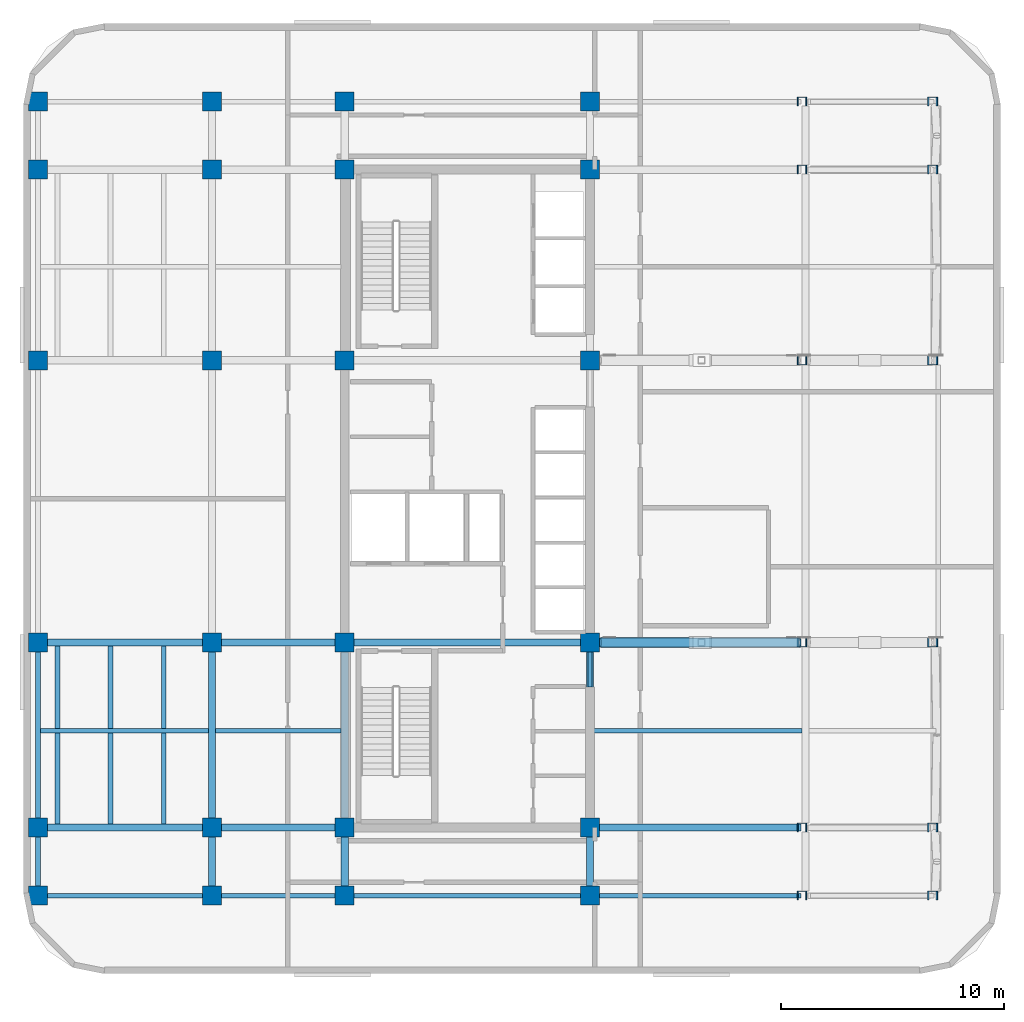
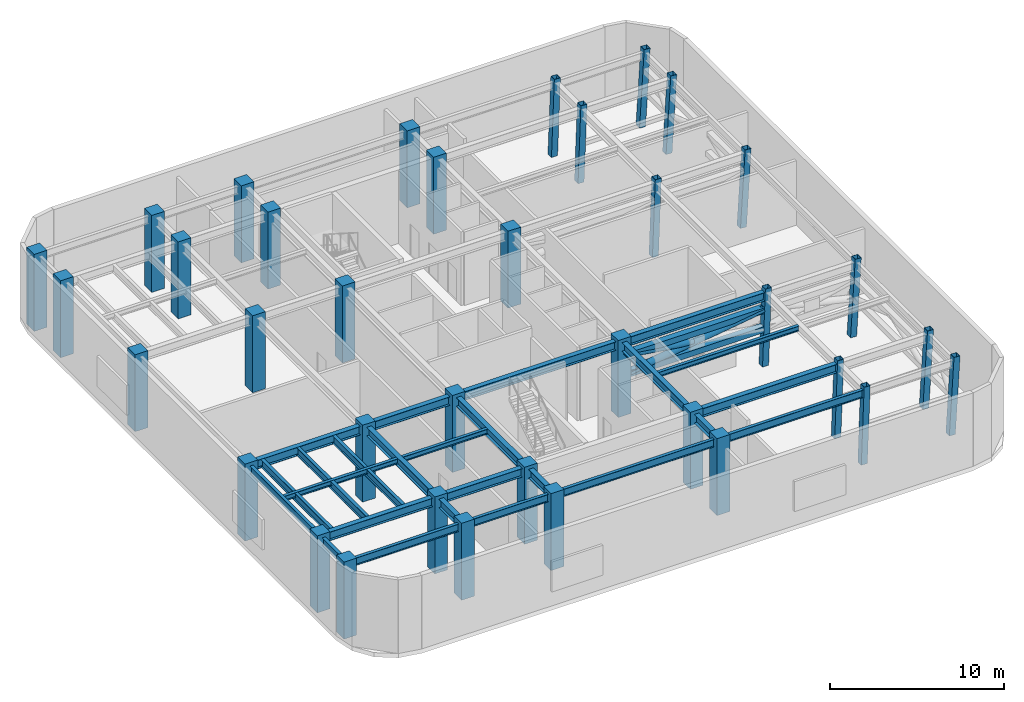
# One storey, part 1 of 12: 36 columns, 26 beams, 4 members.
"""IFC4 building model written with IfcOpenShell, lengths in metres."""

from ifc_helpers import new_model, si_unit, direction, frame, origin, origin_2d, place, context, subcontext, project, spatial, rectangle, hollow_rectangle, hollow_circle, i_section, extrude, material, material_profile, profile_set, type_object, element, save


model = new_model("IFC4")

# Units and contexts
model_context = context("Model", 3, precision=1e-05, world=origin(), true_north=direction((0.0, 1.0)))
body_context = subcontext(model_context, "Body", "Model", "MODEL_VIEW")
ifc_project = project(units=[si_unit("LENGTHUNIT", "METRE"), si_unit("AREAUNIT", "SQUARE_METRE"), si_unit("VOLUMEUNIT", "CUBIC_METRE"), si_unit("PLANEANGLEUNIT", "RADIAN"), si_unit("MASSUNIT", "GRAM", prefix="KILO")], contexts=[model_context])

# Site, building, storey
site_placement = place(None, origin())
site = spatial("IfcSite", under=ifc_project, at=site_placement, CompositionType="ELEMENT")
building_placement = place(site_placement, origin())
building = spatial("IfcBuilding", under=site, at=building_placement, Name="Ochreholt Gables", CompositionType="ELEMENT")
storey_placement = place(building_placement, frame((0.0, 0.0, 135.60009765625)))
storey = spatial("IfcBuildingStorey", under=building, at=storey_placement, Name="L35", CompositionType="ELEMENT", Elevation=135.60009765625)

# Columns
ifc_material_1 = material(Name="Steel CSA G40.21 350W", Category="steel")
ifc_material_profile_1 = material_profile(ifc_material_1, hollow_rectangle(XDim=0.406005859375, YDim=0.406005859375, WallThickness=0.01611328125, at=origin_2d()), Name="HSS406X406X16")
ifc_profile_set_1 = profile_set([ifc_material_profile_1], Name="Steel CSA G40.21 350W")
column_type_1 = type_object("IfcColumnType", Name="COL-HSS406-RAK", PredefinedType="COLUMN", material=ifc_profile_set_1)
for number, where, z_axis, x_axis, name in (
    (1, (44.681884765625, 9.25, 0.0), (0.035017844407, 0.0, 0.99938668721), (0.0, 1.0, 0.0), "L35 Column EMY2"),
    (2, (44.681884765625, 17.550048828125, 0.0), (0.035017844407, 0.0, 0.99938668721), (0.0, 1.0, 0.0), "L35 Column EMY3"),
    (3, (44.681884765625, 30.199951171875, 0.0), (0.035017844407, 0.0, 0.99938668721), (0.0, 1.0, 0.0), "L35 Column EMY4"),
    (4, (44.681884765625, 38.75, 0.0), (0.035017844407, 0.0, 0.99938668721), (0.0, 1.0, 0.0), "L35 Column EMY5"),
):
    element("IfcColumn", number, at=place(storey_placement, frame(where, z_axis=z_axis, x_axis=x_axis)), inside=storey, type_object=column_type_1, Name=name, PredefinedType="COLUMN", context=body_context, shape_type="SweptSolid", body=[
        extrude(hollow_rectangle(XDim=0.406005859375, YDim=0.406005859375, WallThickness=0.01611328125, at=origin_2d()), origin(), (0.0, 0.0, 1.0), 5.4033203125),
    ])
ifc_material_profile_2 = material_profile(ifc_material_1, hollow_rectangle(XDim=0.406005859375, YDim=0.406005859375, WallThickness=0.01611328125, at=origin_2d()), Name="HSS406X406X16")
ifc_profile_set_2 = profile_set([ifc_material_profile_2], Name="Steel CSA G40.21 350W")
column_type_2 = type_object("IfcColumnType", Name="COL-HSS406-RAKE", PredefinedType="COLUMN", material=ifc_profile_set_2)
for number, where, z_axis, x_axis, name in (
    (5, (44.681884765625, 6.199951171875, 0.0), (0.035017844407, 0.0, 0.99938668721), (0.0, 1.0, 0.0), "L35 Column EMY1"),
    (6, (44.681884765625, 41.800048828125, 0.0), (0.035017844407, 0.0, 0.99938668721), (0.0, 1.0, 0.0), "L35 Column EMY6"),
):
    element("IfcColumn", number, at=place(storey_placement, frame(where, z_axis=z_axis, x_axis=x_axis)), inside=storey, type_object=column_type_2, Name=name, PredefinedType="COLUMN", context=body_context, shape_type="SweptSolid", body=[
        extrude(hollow_rectangle(XDim=0.406005859375, YDim=0.406005859375, WallThickness=0.01611328125, at=origin_2d()), origin(), (0.0, 0.0, 1.0), 5.4033203125),
    ])
for number, where, z_axis, x_axis, name in (
    (7, (50.521484375, 6.199951171875, 0.0), (0.05790970708, 0.0, 0.998321824777), (0.0, 1.0, 0.0), "L35 Column EEY1"),
    (8, (50.521484375, 9.25, 0.0), (0.05790970708, 0.0, 0.998321824777), (0.0, 1.0, 0.0), "L35 Column EEY2"),
    (9, (50.521484375, 17.550048828125, 0.0), (0.05790970708, 0.0, 0.998321824777), (0.0, 1.0, 0.0), "L35 Column EEY3"),
    (10, (50.521484375, 30.199951171875, 0.0), (0.05790970708, 0.0, 0.998321824777), (0.0, 1.0, 0.0), "L35 Column EEY4"),
    (11, (50.521484375, 38.75, 0.0), (0.05790970708, 0.0, 0.998321824777), (0.0, 1.0, 0.0), "L35 Column EEY5"),
    (12, (50.521484375, 41.800048828125, 0.0), (0.05790970708, 0.0, 0.998321824777), (0.0, 1.0, 0.0), "L35 Column EEY6"),
):
    element("IfcColumn", number, at=place(storey_placement, frame(where, z_axis=z_axis, x_axis=x_axis)), inside=storey, type_object=column_type_2, Name=name, PredefinedType="COLUMN", context=body_context, shape_type="SweptSolid", body=[
        extrude(hollow_rectangle(XDim=0.406005859375, YDim=0.406005859375, WallThickness=0.01611328125, at=origin_2d()), origin(), (0.0, 0.0, 1.0), 5.408935546875),
    ])
ifc_material_2 = material(Name="Concrete 60 MPa", Category="concrete")
ifc_material_profile_3 = material_profile(ifc_material_2, rectangle(XDim=0.85009765625, YDim=0.85009765625, at=origin_2d()), Name="RC850X850")
ifc_profile_set_3 = profile_set([ifc_material_profile_3], Name="Concrete 60 MPa")
column_type_3 = type_object("IfcColumnType", Name="COL-RC850-EXT", PredefinedType="COLUMN", material=ifc_profile_set_3)
for number, where, z_axis, x_axis, name in (
    (13, (10.449951171875, 6.199951171875, 0.0), (0.0, 0.0, 1.0), (1.0, 0.0, 0.0), "L35 Column W2Y1"),
    (14, (10.449951171875, 9.25, 0.0), (0.0, 0.0, 1.0), (1.0, 0.0, 0.0), "L35 Column W2Y2"),
    (15, (10.449951171875, 17.550048828125, 0.0), (0.0, 0.0, 1.0), (1.0, 0.0, 0.0), "L35 Column W2Y3"),
    (16, (10.449951171875, 30.199951171875, 0.0), (0.0, 0.0, 1.0), (1.0, 0.0, 0.0), "L35 Column W2Y4"),
    (17, (10.449951171875, 38.75, 0.0), (0.0, 0.0, 1.0), (1.0, 0.0, 0.0), "L35 Column W2Y5"),
    (18, (10.449951171875, 41.800048828125, 0.0), (0.0, 0.0, 1.0), (1.0, 0.0, 0.0), "L35 Column W2Y6"),
    (19, (18.25, 6.199951171875, 0.0), (0.0, 0.0, 1.0), (1.0, 0.0, 0.0), "L35 Column W3Y1"),
    (20, (18.25, 41.800048828125, 0.0), (0.0, 0.0, 1.0), (1.0, 0.0, 0.0), "L35 Column W3Y6"),
    (21, (24.199951171875, 6.199951171875, 0.0), (0.0, 0.0, 1.0), (1.0, 0.0, 0.0), "L35 Column C1Y1"),
    (22, (24.199951171875, 41.800048828125, 0.0), (0.0, 0.0, 1.0), (1.0, 0.0, 0.0), "L35 Column C1Y6"),
    (23, (35.199951171875, 6.199951171875, 0.0), (0.0, 0.0, 1.0), (1.0, 0.0, 0.0), "L35 Column C2Y1"),
    (24, (35.199951171875, 41.800048828125, 0.0), (0.0, 0.0, 1.0), (1.0, 0.0, 0.0), "L35 Column C2Y6"),
):
    element("IfcColumn", number, at=place(storey_placement, frame(where, z_axis=z_axis, x_axis=x_axis)), inside=storey, type_object=column_type_3, Name=name, PredefinedType="COLUMN", context=body_context, shape_type="SweptSolid", body=[
        extrude(rectangle(XDim=0.85009765625, YDim=0.85009765625, at=origin_2d()), origin(), (0.0, 0.0, 1.0), 5.39990234375),
    ])
ifc_material_profile_4 = material_profile(ifc_material_2, rectangle(XDim=0.85009765625, YDim=0.85009765625, at=origin_2d()), Name="RC850X850")
ifc_profile_set_4 = profile_set([ifc_material_profile_4], Name="Concrete 60 MPa")
column_type_4 = type_object("IfcColumnType", Name="COL-RC850-INT", PredefinedType="COLUMN", material=ifc_profile_set_4)
for number, where, z_axis, x_axis, name in (
    (25, (18.25, 9.25, 0.0), (0.0, 0.0, 1.0), (1.0, 0.0, 0.0), "L35 Column W3Y2"),
    (26, (18.25, 17.550048828125, 0.0), (0.0, 0.0, 1.0), (1.0, 0.0, 0.0), "L35 Column W3Y3"),
    (27, (18.25, 30.199951171875, 0.0), (0.0, 0.0, 1.0), (1.0, 0.0, 0.0), "L35 Column W3Y4"),
    (28, (18.25, 38.75, 0.0), (0.0, 0.0, 1.0), (1.0, 0.0, 0.0), "L35 Column W3Y5"),
    (29, (24.199951171875, 9.25, 0.0), (0.0, 0.0, 1.0), (1.0, 0.0, 0.0), "L35 Column C1Y2"),
    (30, (24.199951171875, 17.550048828125, 0.0), (0.0, 0.0, 1.0), (1.0, 0.0, 0.0), "L35 Column C1Y3"),
    (31, (24.199951171875, 30.199951171875, 0.0), (0.0, 0.0, 1.0), (1.0, 0.0, 0.0), "L35 Column C1Y4"),
    (32, (24.199951171875, 38.75, 0.0), (0.0, 0.0, 1.0), (1.0, 0.0, 0.0), "L35 Column C1Y5"),
    (33, (35.199951171875, 9.25, 0.0), (0.0, 0.0, 1.0), (1.0, 0.0, 0.0), "L35 Column C2Y2"),
    (34, (35.199951171875, 17.550048828125, 0.0), (0.0, 0.0, 1.0), (1.0, 0.0, 0.0), "L35 Column C2Y3"),
    (35, (35.199951171875, 30.199951171875, 0.0), (0.0, 0.0, 1.0), (1.0, 0.0, 0.0), "L35 Column C2Y4"),
    (36, (35.199951171875, 38.75, 0.0), (0.0, 0.0, 1.0), (1.0, 0.0, 0.0), "L35 Column C2Y5"),
):
    element("IfcColumn", number, at=place(storey_placement, frame(where, z_axis=z_axis, x_axis=x_axis)), inside=storey, type_object=column_type_4, Name=name, PredefinedType="COLUMN", context=body_context, shape_type="SweptSolid", body=[
        extrude(rectangle(XDim=0.85009765625, YDim=0.85009765625, at=origin_2d()), origin(), (0.0, 0.0, 1.0), 5.39990234375),
    ])

# Beams
ifc_material_profile_5 = material_profile(ifc_material_1, i_section(OverallWidth=0.2109375, OverallDepth=0.5390625, WebThickness=0.01171875, FlangeThickness=0.018798828125, at=origin_2d()), Name="W530X109")
ifc_profile_set_5 = profile_set([ifc_material_profile_5], Name="Steel CSA G40.21 350W")
beam_type_1 = type_object("IfcBeamType", Name="BM-G-W530A", PredefinedType="BEAM", material=ifc_profile_set_5)
for number, where, z_axis, x_axis, name in (
    (37, (11.320068359375, 9.41162109375, 4.890380859375), (0.0, 1.0, 0.0), (-1.0, 0.0, 0.0), "L35 Beam BTG-L35-36W1W"),
    (38, (13.699951171875, 9.41162109375, 4.890380859375), (0.0, 1.0, 0.0), (-1.0, 0.0, 0.0), "L35 Beam BTG-L35-36W1R"),
    (39, (16.080078125, 9.41162109375, 4.890380859375), (0.0, 1.0, 0.0), (-1.0, 0.0, 0.0), "L35 Beam BTG-L35-36W1E"),
):
    element("IfcBeam", number, at=place(storey_placement, frame(where, z_axis=z_axis, x_axis=x_axis)), inside=storey, type_object=beam_type_1, Name=name, PredefinedType="BEAM", context=body_context, shape_type="SweptSolid", body=[
        extrude(i_section(OverallWidth=0.2109375, OverallDepth=0.5390625, WebThickness=0.01171875, FlangeThickness=0.018798828125, at=origin_2d()), origin(), (0.0, 0.0, 1.0), 7.976806640625),
    ])
ifc_material_profile_6 = material_profile(ifc_material_1, i_section(OverallWidth=0.323974609375, OverallDepth=0.611083984375, WebThickness=0.0126953125, FlangeThickness=0.01904296875, at=origin_2d()), Name="W610X155")
ifc_profile_set_6 = profile_set([ifc_material_profile_6], Name="Steel CSA G40.21 350W")
beam_type_2 = type_object("IfcBeamType", Name="BM-G-W610A", PredefinedType="BEAM", material=ifc_profile_set_6)
beam_1_placement = place(storey_placement, frame((10.87451171875, 9.25, 4.8544921875), z_axis=(1.0, 0.0, 0.0), x_axis=(0.0, 1.0, 0.0)))
element("IfcBeam", 40, at=beam_1_placement, inside=storey, type_object=beam_type_2, Name="L35 Beam TBG-L35-W2W3-Y2", PredefinedType="BEAM", context=body_context, shape_type="SweptSolid", body=[
    extrude(i_section(OverallWidth=0.323974609375, OverallDepth=0.611083984375, WebThickness=0.0126953125, FlangeThickness=0.01904296875, at=origin_2d()), origin(), (0.0, 0.0, 1.0), 6.950927734375),
])
beam_2_placement = place(storey_placement, frame((18.674560546875, 9.25, 4.8544921875), z_axis=(1.0, 0.0, 0.0), x_axis=(0.0, 1.0, 0.0)))
element("IfcBeam", 41, at=beam_2_placement, inside=storey, type_object=beam_type_2, Name="L35 Beam TBG-L35-W3C1-Y2", PredefinedType="BEAM", context=body_context, shape_type="SweptSolid", body=[
    extrude(i_section(OverallWidth=0.323974609375, OverallDepth=0.611083984375, WebThickness=0.0126953125, FlangeThickness=0.01904296875, at=origin_2d()), origin(), (0.0, 0.0, 1.0), 5.100830078125),
])
beam_3_placement = place(storey_placement, frame((35.62451171875, 9.25, 4.8544921875), z_axis=(1.0, 0.0, 0.0), x_axis=(0.0, 1.0, 0.0)))
element("IfcBeam", 42, at=beam_3_placement, inside=storey, type_object=beam_type_2, Name="L35 Beam TBG-L35-C2EM-Y2", PredefinedType="BEAM", context=body_context, shape_type="SweptSolid", body=[
    extrude(i_section(OverallWidth=0.323974609375, OverallDepth=0.611083984375, WebThickness=0.0126953125, FlangeThickness=0.01904296875, at=origin_2d()), origin(), (0.0, 0.0, 1.0), 9.0439453125),
])
beam_4_placement = place(storey_placement, frame((10.87451171875, 17.550048828125, 4.8544921875), z_axis=(1.0, 0.0, 0.0), x_axis=(0.0, 1.0, 0.0)))
element("IfcBeam", 43, at=beam_4_placement, inside=storey, type_object=beam_type_2, Name="L35 Beam TBG-L35-W2W3-Y3", PredefinedType="BEAM", context=body_context, shape_type="SweptSolid", body=[
    extrude(i_section(OverallWidth=0.323974609375, OverallDepth=0.611083984375, WebThickness=0.0126953125, FlangeThickness=0.01904296875, at=origin_2d()), origin(), (0.0, 0.0, 1.0), 6.950927734375),
])
beam_5_placement = place(storey_placement, frame((18.674560546875, 17.550048828125, 4.8544921875), z_axis=(1.0, 0.0, 0.0), x_axis=(0.0, 1.0, 0.0)))
element("IfcBeam", 44, at=beam_5_placement, inside=storey, type_object=beam_type_2, Name="L35 Beam TBG-L35-W3C1-Y3", PredefinedType="BEAM", context=body_context, shape_type="SweptSolid", body=[
    extrude(i_section(OverallWidth=0.323974609375, OverallDepth=0.611083984375, WebThickness=0.0126953125, FlangeThickness=0.01904296875, at=origin_2d()), origin(), (0.0, 0.0, 1.0), 5.100830078125),
])
beam_6_placement = place(storey_placement, frame((24.62451171875, 17.550048828125, 4.8544921875), z_axis=(1.0, 0.0, 0.0), x_axis=(0.0, 1.0, 0.0)))
element("IfcBeam", 45, at=beam_6_placement, inside=storey, type_object=beam_type_2, Name="L35 Beam TBG-L35-C1C2-Y3", PredefinedType="BEAM", context=body_context, shape_type="SweptSolid", body=[
    extrude(i_section(OverallWidth=0.323974609375, OverallDepth=0.611083984375, WebThickness=0.0126953125, FlangeThickness=0.01904296875, at=origin_2d()), origin(), (0.0, 0.0, 1.0), 10.15087890625),
])
beam_7_placement = place(storey_placement, frame((35.62451171875, 17.550048828125, 4.8544921875), z_axis=(1.0, 0.0, 0.0), x_axis=(0.0, 1.0, 0.0)))
element("IfcBeam", 46, at=beam_7_placement, inside=storey, type_object=beam_type_2, Name="L35 Beam TBG-L35-C2EM-Y3", PredefinedType="BEAM", context=body_context, shape_type="SweptSolid", body=[
    extrude(i_section(OverallWidth=0.323974609375, OverallDepth=0.611083984375, WebThickness=0.0126953125, FlangeThickness=0.01904296875, at=origin_2d()), origin(), (0.0, 0.0, 1.0), 9.0439453125),
])
beam_8_placement = place(storey_placement, frame((18.25, 6.62451171875, 4.8544921875), z_axis=(0.0, 1.0, 0.0), x_axis=(-1.0, 0.0, 0.0)))
element("IfcBeam", 47, at=beam_8_placement, inside=storey, type_object=beam_type_2, Name="L35 Beam TBN-L35-W3-Y1Y2", PredefinedType="BEAM", context=body_context, shape_type="SweptSolid", body=[
    extrude(i_section(OverallWidth=0.323974609375, OverallDepth=0.611083984375, WebThickness=0.0126953125, FlangeThickness=0.01904296875, at=origin_2d()), origin(), (0.0, 0.0, 1.0), 2.200927734375),
])
beam_9_placement = place(storey_placement, frame((18.25, 9.674560546875, 4.8544921875), z_axis=(0.0, 1.0, 0.0), x_axis=(-1.0, 0.0, 0.0)))
element("IfcBeam", 48, at=beam_9_placement, inside=storey, type_object=beam_type_2, Name="L35 Beam TBN-L35-W3-Y2Y3", PredefinedType="BEAM", context=body_context, shape_type="SweptSolid", body=[
    extrude(i_section(OverallWidth=0.323974609375, OverallDepth=0.611083984375, WebThickness=0.0126953125, FlangeThickness=0.01904296875, at=origin_2d()), origin(), (0.0, 0.0, 1.0), 7.450927734375),
])
beam_10_placement = place(storey_placement, frame((24.199951171875, 6.62451171875, 4.8544921875), z_axis=(0.0, 1.0, 0.0), x_axis=(-1.0, 0.0, 0.0)))
element("IfcBeam", 49, at=beam_10_placement, inside=storey, type_object=beam_type_2, Name="L35 Beam TBN-L35-C1-Y1Y2", PredefinedType="BEAM", context=body_context, shape_type="SweptSolid", body=[
    extrude(i_section(OverallWidth=0.323974609375, OverallDepth=0.611083984375, WebThickness=0.0126953125, FlangeThickness=0.01904296875, at=origin_2d()), origin(), (0.0, 0.0, 1.0), 2.200927734375),
])
beam_11_placement = place(storey_placement, frame((24.199951171875, 9.674560546875, 4.8544921875), z_axis=(0.0, 1.0, 0.0), x_axis=(-1.0, 0.0, 0.0)))
element("IfcBeam", 50, at=beam_11_placement, inside=storey, type_object=beam_type_2, Name="L35 Beam TBN-L35-C1-Y2Y3", PredefinedType="BEAM", context=body_context, shape_type="SweptSolid", body=[
    extrude(i_section(OverallWidth=0.323974609375, OverallDepth=0.611083984375, WebThickness=0.0126953125, FlangeThickness=0.01904296875, at=origin_2d()), origin(), (0.0, 0.0, 1.0), 7.450927734375),
])
beam_12_placement = place(storey_placement, frame((35.199951171875, 6.62451171875, 4.8544921875), z_axis=(0.0, 1.0, 0.0), x_axis=(-1.0, 0.0, 0.0)))
element("IfcBeam", 51, at=beam_12_placement, inside=storey, type_object=beam_type_2, Name="L35 Beam TBN-L35-C2-Y1Y2", PredefinedType="BEAM", context=body_context, shape_type="SweptSolid", body=[
    extrude(i_section(OverallWidth=0.323974609375, OverallDepth=0.611083984375, WebThickness=0.0126953125, FlangeThickness=0.01904296875, at=origin_2d()), origin(), (0.0, 0.0, 1.0), 2.200927734375),
])
beam_13_placement = place(storey_placement, frame((35.199951171875, 9.674560546875, 4.8544921875), z_axis=(0.0, 1.0, 0.0), x_axis=(-1.0, 0.0, 0.0)))
element("IfcBeam", 52, at=beam_13_placement, inside=storey, type_object=beam_type_2, Name="L35 Beam TBN-L35-C2-Y2Y3", PredefinedType="BEAM", context=body_context, shape_type="SweptSolid", body=[
    extrude(i_section(OverallWidth=0.323974609375, OverallDepth=0.611083984375, WebThickness=0.0126953125, FlangeThickness=0.01904296875, at=origin_2d()), origin(), (0.0, 0.0, 1.0), 7.450927734375),
])
ifc_material_profile_7 = material_profile(ifc_material_1, i_section(OverallWidth=0.205078125, OverallDepth=0.35400390625, WebThickness=0.009521484375, FlangeThickness=0.016845703125, at=origin_2d()), Name="W360X79")
ifc_profile_set_7 = profile_set([ifc_material_profile_7], Name="Steel CSA G40.21 350W")
beam_type_3 = type_object("IfcBeamType", Name="BM-J-W360A", PredefinedType="JOIST", material=ifc_profile_set_7)
beam_14_placement = place(storey_placement, frame((10.55419921875, 13.60009765625, 4.98291015625), z_axis=(1.0, 0.0, 0.0), x_axis=(0.0, 1.0, 0.0)))
element("IfcBeam", 53, at=beam_14_placement, inside=storey, type_object=beam_type_3, Name="L35 Beam TBJ-L35-J1-W2W3", PredefinedType="JOIST", context=body_context, shape_type="SweptSolid", body=[
    extrude(i_section(OverallWidth=0.205078125, OverallDepth=0.35400390625, WebThickness=0.009521484375, FlangeThickness=0.016845703125, at=origin_2d()), origin(), (0.0, 0.0, 1.0), 7.5341796875),
])
beam_15_placement = place(storey_placement, frame((18.41162109375, 13.60009765625, 4.98291015625), z_axis=(1.0, 0.0, 0.0), x_axis=(0.0, 1.0, 0.0)))
element("IfcBeam", 54, at=beam_15_placement, inside=storey, type_object=beam_type_3, Name="L35 Beam TBJ-L35-J1-W3C1", PredefinedType="JOIST", context=body_context, shape_type="SweptSolid", body=[
    extrude(i_section(OverallWidth=0.205078125, OverallDepth=0.35400390625, WebThickness=0.009521484375, FlangeThickness=0.016845703125, at=origin_2d()), origin(), (0.0, 0.0, 1.0), 5.626708984375),
])
beam_16_placement = place(storey_placement, frame((35.361572265625, 13.60009765625, 4.98291015625), z_axis=(1.0, 0.0, 0.0), x_axis=(0.0, 1.0, 0.0)))
element("IfcBeam", 55, at=beam_16_placement, inside=storey, type_object=beam_type_3, Name="L35 Beam TBJ-L35-J1-C2EM", PredefinedType="JOIST", context=body_context, shape_type="SweptSolid", body=[
    extrude(i_section(OverallWidth=0.205078125, OverallDepth=0.35400390625, WebThickness=0.009521484375, FlangeThickness=0.016845703125, at=origin_2d()), origin(), (0.0, 0.0, 1.0), 9.330810546875),
])
ifc_material_profile_8 = material_profile(ifc_material_1, i_section(OverallWidth=0.1650390625, OverallDepth=0.200927734375, WebThickness=0.006103515625, FlangeThickness=0.01025390625, at=origin_2d()), Name="W200X36")
ifc_profile_set_8 = profile_set([ifc_material_profile_8], Name="Steel CSA G40.21 350W")
beam_type_4 = type_object("IfcBeamType", Name="BM-LIN-W200", PredefinedType="LINTEL", material=ifc_profile_set_8)
beam_17_placement = place(storey_placement, frame((35.199951171875, 15.550048828125, 4.448486328125), z_axis=(0.0, 1.0, 0.0), x_axis=(-1.0, 0.0, 0.0)))
element("IfcBeam", 56, at=beam_17_placement, inside=storey, type_object=beam_type_4, Name="L35 Core Coupling Lintel CPS", PredefinedType="LINTEL", context=body_context, shape_type="SweptSolid", body=[
    extrude(i_section(OverallWidth=0.1650390625, OverallDepth=0.200927734375, WebThickness=0.006103515625, FlangeThickness=0.01025390625, at=origin_2d()), origin(), (0.0, 0.0, 1.0), 1.574951171875),
])
ifc_material_profile_9 = material_profile(ifc_material_1, i_section(OverallWidth=0.208984375, OverallDepth=0.532958984375, WebThickness=0.01025390625, FlangeThickness=0.015625, at=origin_2d()), Name="W530X92")
ifc_profile_set_9 = profile_set([ifc_material_profile_9], Name="Steel CSA G40.21 350W")
beam_type_5 = type_object("IfcBeamType", Name="BM-SP-W530B", PredefinedType="SPANDREL", material=ifc_profile_set_9)
beam_18_placement = place(storey_placement, frame((10.87451171875, 6.199951171875, 4.893310546875), z_axis=(1.0, 0.0, 0.0), x_axis=(0.0, 1.0, 0.0)))
element("IfcBeam", 57, at=beam_18_placement, inside=storey, type_object=beam_type_5, Name="L35 Beam TBG-L35-W2W3-Y1", PredefinedType="SPANDREL", context=body_context, shape_type="SweptSolid", body=[
    extrude(i_section(OverallWidth=0.208984375, OverallDepth=0.532958984375, WebThickness=0.01025390625, FlangeThickness=0.015625, at=origin_2d()), origin(), (0.0, 0.0, 1.0), 6.950927734375),
])
beam_19_placement = place(storey_placement, frame((18.674560546875, 6.199951171875, 4.893310546875), z_axis=(1.0, 0.0, 0.0), x_axis=(0.0, 1.0, 0.0)))
element("IfcBeam", 58, at=beam_19_placement, inside=storey, type_object=beam_type_5, Name="L35 Beam TBG-L35-W3C1-Y1", PredefinedType="SPANDREL", context=body_context, shape_type="SweptSolid", body=[
    extrude(i_section(OverallWidth=0.208984375, OverallDepth=0.532958984375, WebThickness=0.01025390625, FlangeThickness=0.015625, at=origin_2d()), origin(), (0.0, 0.0, 1.0), 5.100830078125),
])
beam_20_placement = place(storey_placement, frame((24.62451171875, 6.199951171875, 4.893310546875), z_axis=(1.0, 0.0, 0.0), x_axis=(0.0, 1.0, 0.0)))
element("IfcBeam", 59, at=beam_20_placement, inside=storey, type_object=beam_type_5, Name="L35 Beam TBG-L35-C1C2-Y1", PredefinedType="SPANDREL", context=body_context, shape_type="SweptSolid", body=[
    extrude(i_section(OverallWidth=0.208984375, OverallDepth=0.532958984375, WebThickness=0.01025390625, FlangeThickness=0.015625, at=origin_2d()), origin(), (0.0, 0.0, 1.0), 10.15087890625),
])
beam_21_placement = place(storey_placement, frame((35.62451171875, 6.199951171875, 4.893310546875), z_axis=(1.0, 0.0, 0.0), x_axis=(0.0, 1.0, 0.0)))
element("IfcBeam", 60, at=beam_21_placement, inside=storey, type_object=beam_type_5, Name="L35 Beam TBG-L35-C2EM-Y1", PredefinedType="SPANDREL", context=body_context, shape_type="SweptSolid", body=[
    extrude(i_section(OverallWidth=0.208984375, OverallDepth=0.532958984375, WebThickness=0.01025390625, FlangeThickness=0.015625, at=origin_2d()), origin(), (0.0, 0.0, 1.0), 9.0439453125),
])
beam_22_placement = place(storey_placement, frame((10.449951171875, 6.62451171875, 4.893310546875), z_axis=(0.0, 1.0, 0.0), x_axis=(-1.0, 0.0, 0.0)))
element("IfcBeam", 61, at=beam_22_placement, inside=storey, type_object=beam_type_5, Name="L35 Beam TBN-L35-W2-Y1Y2", PredefinedType="SPANDREL", context=body_context, shape_type="SweptSolid", body=[
    extrude(i_section(OverallWidth=0.208984375, OverallDepth=0.532958984375, WebThickness=0.01025390625, FlangeThickness=0.015625, at=origin_2d()), origin(), (0.0, 0.0, 1.0), 2.200927734375),
])
beam_23_placement = place(storey_placement, frame((10.449951171875, 9.674560546875, 4.893310546875), z_axis=(0.0, 1.0, 0.0), x_axis=(-1.0, 0.0, 0.0)))
element("IfcBeam", 62, at=beam_23_placement, inside=storey, type_object=beam_type_5, Name="L35 Beam TBN-L35-W2-Y2Y3", PredefinedType="SPANDREL", context=body_context, shape_type="SweptSolid", body=[
    extrude(i_section(OverallWidth=0.208984375, OverallDepth=0.532958984375, WebThickness=0.01025390625, FlangeThickness=0.015625, at=origin_2d()), origin(), (0.0, 0.0, 1.0), 7.450927734375),
])

# Members
ifc_material_profile_10 = material_profile(ifc_material_1, hollow_circle(Radius=0.228515625, WallThickness=0.01611328125, at=origin_2d()), Name="CHS457X16")
ifc_profile_set_10 = profile_set([ifc_material_profile_10], Name="Steel CSA G40.21 350W")
member_type_1 = type_object("IfcMemberType", Name="MEM-OU-BR1", PredefinedType="BRACE", material=ifc_profile_set_10)
member_1_placement = place(storey_placement, frame((35.674560546875, 17.550048828125, 2.599853515625), z_axis=(0.989278596078, 0.0, 0.14604060854), x_axis=(0.0, 1.0, 0.0)))
element("IfcMember", 63, at=member_1_placement, inside=storey, type_object=member_type_1, Name="L35 Outrigger Truss S Continuous Diagonal 1", PredefinedType="BRACE", context=body_context, shape_type="SweptSolid", body=[
    extrude(hollow_circle(Radius=0.228515625, WallThickness=0.01611328125, at=origin_2d()), origin(), (0.0, 0.0, 1.0), 9.0390625),
])
member_2_placement = place(storey_placement, frame((39.9560546875, 17.550048828125, 3.28466796875), z_axis=(-0.989171337086, 0.0, 0.146765342938), x_axis=(0.0, -1.0, 0.0)))
element("IfcMember", 64, at=member_2_placement, inside=storey, type_object=member_type_1, Name="L35 Outrigger Truss S Split Diagonal 2B", PredefinedType="BRACE", context=body_context, shape_type="SweptSolid", body=[
    extrude(hollow_circle(Radius=0.228515625, WallThickness=0.01611328125, at=origin_2d()), origin(), (0.0, 0.0, 1.0), 4.328369140625),
])
ifc_material_profile_11 = material_profile(ifc_material_1, hollow_rectangle(XDim=0.406005859375, YDim=0.406005859375, WallThickness=0.01611328125, at=origin_2d()), Name="HSS406X406X16")
ifc_profile_set_11 = profile_set([ifc_material_profile_11], Name="Steel CSA G40.21 350W")
member_type_2 = type_object("IfcMemberType", Name="MEM-OU-CH1", PredefinedType="CHORD", material=ifc_profile_set_11)
member_3_placement = place(storey_placement, frame((35.62451171875, 17.550048828125, 2.599853515625), z_axis=(1.0, 0.0, 0.0), x_axis=(0.0, 1.0, 0.0)))
element("IfcMember", 65, at=member_3_placement, inside=storey, type_object=member_type_2, Name="L35 Outrigger Truss S Bottom Chord 1", PredefinedType="CHORD", context=body_context, shape_type="SweptSolid", body=[
    extrude(hollow_rectangle(XDim=0.406005859375, YDim=0.406005859375, WallThickness=0.01611328125, at=origin_2d()), origin(), (0.0, 0.0, 1.0), 8.94580078125),
])
member_4_placement = place(storey_placement, frame((35.62451171875, 17.550048828125, 3.919921875), z_axis=(1.0, 0.0, 0.0), x_axis=(0.0, 1.0, 0.0)))
element("IfcMember", 66, at=member_4_placement, inside=storey, type_object=member_type_2, Name="L35 Outrigger Truss S Top Chord 1", PredefinedType="CHORD", context=body_context, shape_type="SweptSolid", body=[
    extrude(hollow_rectangle(XDim=0.406005859375, YDim=0.406005859375, WallThickness=0.01611328125, at=origin_2d()), origin(), (0.0, 0.0, 1.0), 8.9921875),
])

save(model, "model.ifc")
